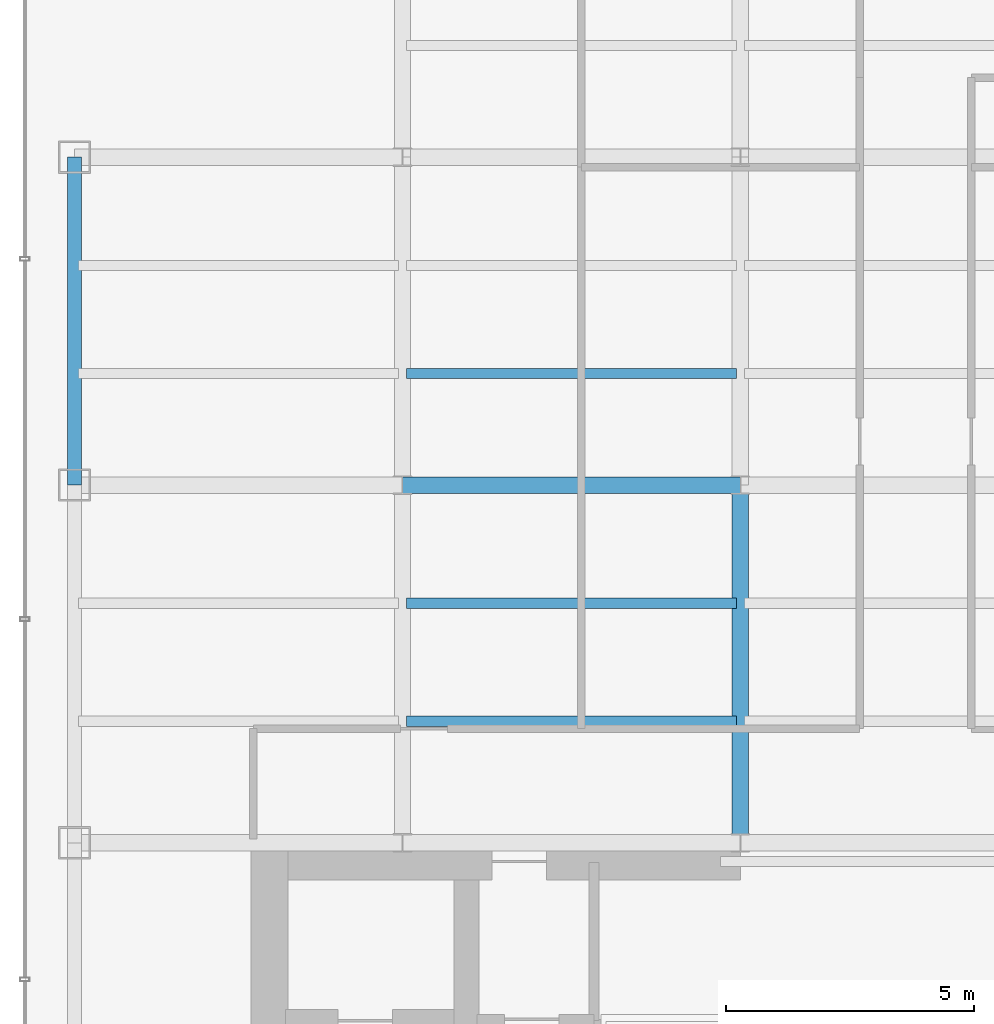
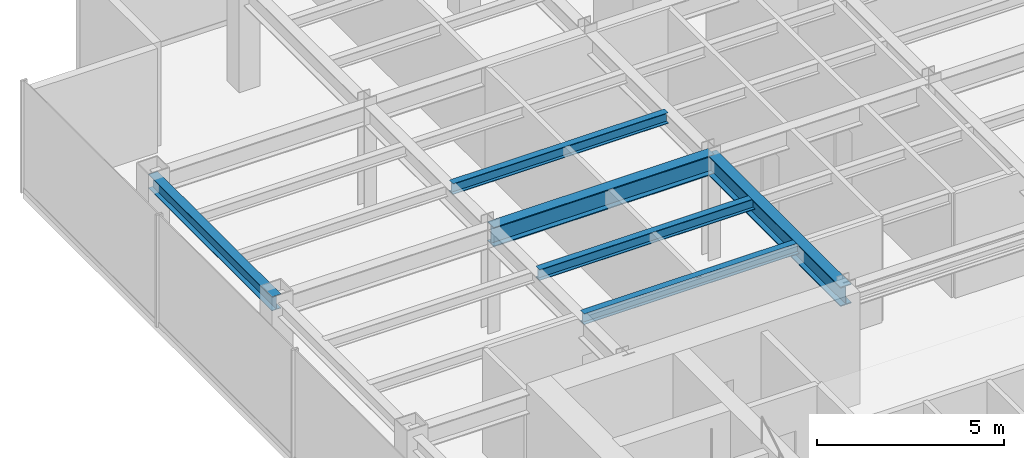
# One storey, part 6 of 25: 6 beams.
"""IFC4 building model written with IfcOpenShell, lengths in metres."""

from ifc_helpers import new_model, si_unit, derived_unit, direction, frame, origin, origin_2d, place, context, subcontext, project, spatial, i_section, extrude, source, transform, mapped, material, material_profile, profile_set, type_object, element, save


model = new_model("IFC4")

# Units and contexts
model_context = context("Model", 3, precision=1e-05, world=origin(), true_north=direction((0.0, 1.0)))
body_context = subcontext(model_context, "Body", "Model", "MODEL_VIEW")
ifc_project = project(units=[si_unit("LENGTHUNIT", "METRE"), si_unit("AREAUNIT", "SQUARE_METRE"), si_unit("VOLUMEUNIT", "CUBIC_METRE"), si_unit("PLANEANGLEUNIT", "RADIAN"), si_unit("MASSUNIT", "GRAM", prefix="KILO"), derived_unit("THERMALTRANSMITTANCEUNIT", [(si_unit("POWERUNIT", "WATT"), 1), (si_unit("LENGTHUNIT", "METRE"), -2), (si_unit("THERMODYNAMICTEMPERATUREUNIT", "KELVIN"), -1)])], contexts=[model_context])

# Site, building, storey
site_placement = place(None, origin())
site = spatial("IfcSite", under=ifc_project, at=site_placement, CompositionType="ELEMENT")
building_placement = place(site_placement, origin())
building = spatial("IfcBuilding", under=site, at=building_placement, Name="Skarnbrae Concourse Arena and Tower", CompositionType="ELEMENT")
storey_placement = place(building_placement, frame((0.0, 0.0, 144.25)))
storey = spatial("IfcBuildingStorey", under=building, at=storey_placement, Name="L36", CompositionType="ELEMENT", Elevation=144.25)

# Beams
ifc_material = material(Name="Steel CSA G40.21 350W", Category="steel")
ifc_material_profile_1 = material_profile(ifc_material, i_section(OverallWidth=0.3291015625, OverallDepth=0.635009765625, WebThickness=0.017822265625, FlangeThickness=0.031005859375, at=origin_2d()), Name="W610X241")
ifc_profile_set_1 = profile_set([ifc_material_profile_1], Name="Steel CSA G40.21 350W")
beam_type_1 = type_object("IfcBeamType", Name="BM-GIRD-W610X241", PredefinedType="BEAM", material=ifc_profile_set_1)
shared_shape_1 = source(origin(), body_context, "Body", "SweptSolid", [
    extrude(i_section(OverallWidth=0.3291015625, OverallDepth=0.635009765625, WebThickness=0.017822265625, FlangeThickness=0.031005859375, at=origin_2d()), origin(), (0.0, 0.0, 1.0), 6.7998046875),
])
beam_1_placement = place(storey_placement, frame((7.60009765625, 21.199951171875, 3.08251953125), z_axis=(1.0, 0.0, 0.0), x_axis=(0.0, 1.0, 0.0)))
element("IfcBeam", 1, at=beam_1_placement, inside=storey, type_object=beam_type_1, Name="L36 Primary E-W girder Y21.2-2", PredefinedType="BEAM", context=body_context, shape_type="MappedRepresentation", body=[
    mapped(shared_shape_1, transform((0.0, 0.0, 0.0))),
])
ifc_material_profile_2 = material_profile(ifc_material, i_section(OverallWidth=0.280029296875, OverallDepth=0.462890625, WebThickness=0.0107421875, FlangeThickness=0.017333984375, at=origin_2d()), Name="W460X113")
ifc_profile_set_2 = profile_set([ifc_material_profile_2], Name="Steel CSA G40.21 350W")
beam_type_2 = type_object("IfcBeamType", Name="BM-SPAN-W460X113", PredefinedType="SPANDREL", material=ifc_profile_set_2)
shared_shape_2 = source(origin(), body_context, "Body", "SweptSolid", [
    extrude(i_section(OverallWidth=0.280029296875, OverallDepth=0.462890625, WebThickness=0.0107421875, FlangeThickness=0.017333984375, at=origin_2d()), origin(), (0.0, 0.0, 1.0), 6.60009765625),
])
beam_2_placement = place(storey_placement, frame((1.0, 21.199951171875, 3.16845703125), z_axis=(0.0, 1.0, 0.0), x_axis=(-1.0, 0.0, 0.0)))
element("IfcBeam", 2, at=beam_2_placement, inside=storey, type_object=beam_type_2, Name="L36 Perimeter spandrel X1.0-3", PredefinedType="SPANDREL", context=body_context, shape_type="MappedRepresentation", body=[
    mapped(shared_shape_2, transform((0.0, 0.0, 0.0))),
])
shared_shape_3 = source(origin(), body_context, "Body", "SweptSolid", [
    extrude(i_section(OverallWidth=0.3291015625, OverallDepth=0.635009765625, WebThickness=0.017822265625, FlangeThickness=0.031005859375, at=origin_2d()), origin(), (0.0, 0.0, 1.0), 7.199951171875),
])
beam_3_placement = place(storey_placement, frame((14.39990234375, 14.0, 3.08251953125), z_axis=(0.0, 1.0, 0.0), x_axis=(-1.0, 0.0, 0.0)))
element("IfcBeam", 3, at=beam_3_placement, inside=storey, type_object=beam_type_1, Name="L36 Primary N-S girder X14.4-1", PredefinedType="BEAM", context=body_context, shape_type="MappedRepresentation", body=[
    mapped(shared_shape_3, transform((0.0, 0.0, 0.0))),
])
ifc_material_profile_3 = material_profile(ifc_material, i_section(OverallWidth=0.205078125, OverallDepth=0.35400390625, WebThickness=0.009521484375, FlangeThickness=0.016845703125, at=origin_2d()), Name="W360X79")
ifc_profile_set_3 = profile_set([ifc_material_profile_3], Name="Steel CSA G40.21 350W")
beam_type_3 = type_object("IfcBeamType", Name="BM-JOIST-W360X79", PredefinedType="JOIST", material=ifc_profile_set_3)
shared_shape_4 = source(origin(), body_context, "Body", "SweptSolid", [
    extrude(i_section(OverallWidth=0.205078125, OverallDepth=0.35400390625, WebThickness=0.009521484375, FlangeThickness=0.016845703125, at=origin_2d()), origin(), (0.0, 0.0, 1.0), 6.64013671875),
])
for number, where, z_axis, x_axis, name in (
    (4, (7.679931640625, 16.447998046875, 3.222900390625), (1.0, 0.0, 0.0), (0.0, 1.0, 0.0), "L36 Secondary floor joist 1.1.2"),
    (5, (7.679931640625, 18.823974609375, 3.222900390625), (1.0, 0.0, 0.0), (0.0, 1.0, 0.0), "L36 Secondary floor joist 1.2.2"),
    (6, (7.679931640625, 23.444091796875, 3.222900390625), (1.0, 0.0, 0.0), (0.0, 1.0, 0.0), "L36 Secondary floor joist 2.1.2"),
):
    element("IfcBeam", number, at=place(storey_placement, frame(where, z_axis=z_axis, x_axis=x_axis)), inside=storey, type_object=beam_type_3, Name=name, PredefinedType="JOIST", context=body_context, shape_type="MappedRepresentation", body=[
        mapped(shared_shape_4, transform((0.0, 0.0, 0.0))),
    ])

save(model, "model.ifc")
